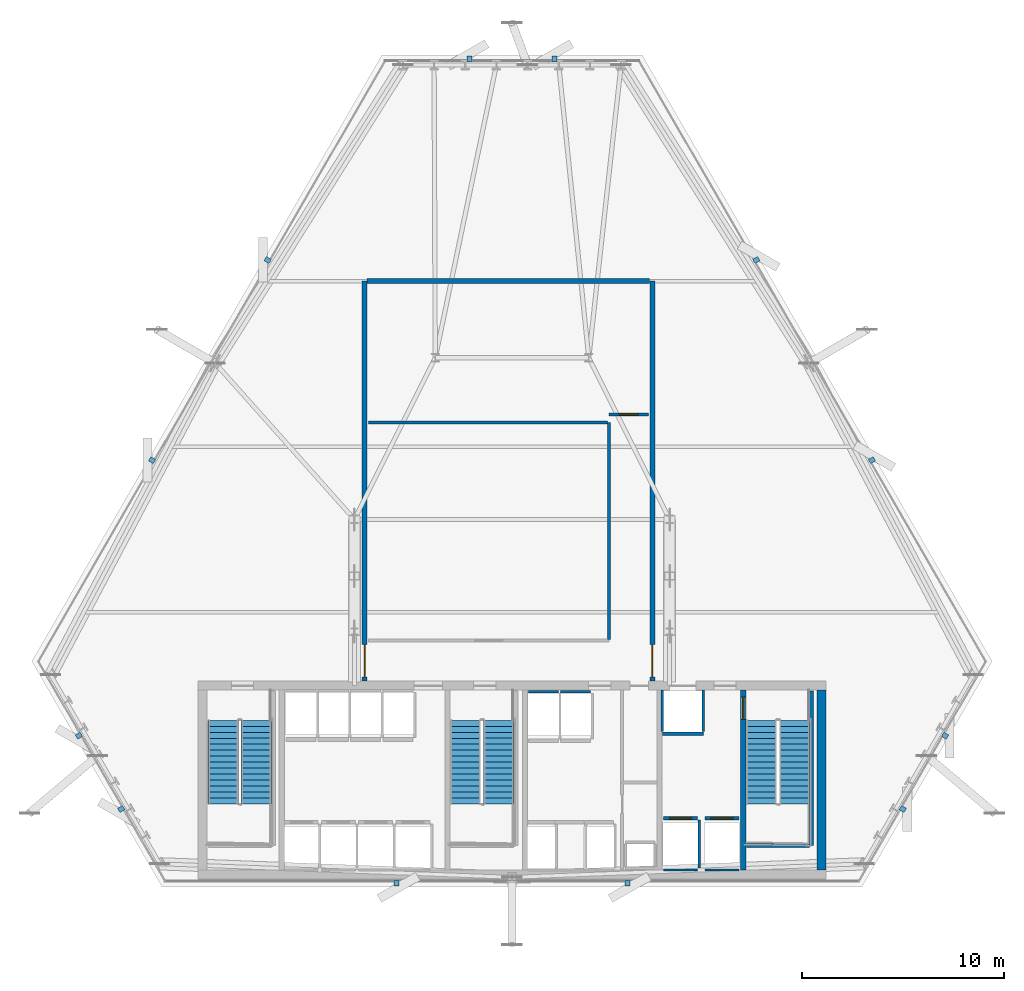
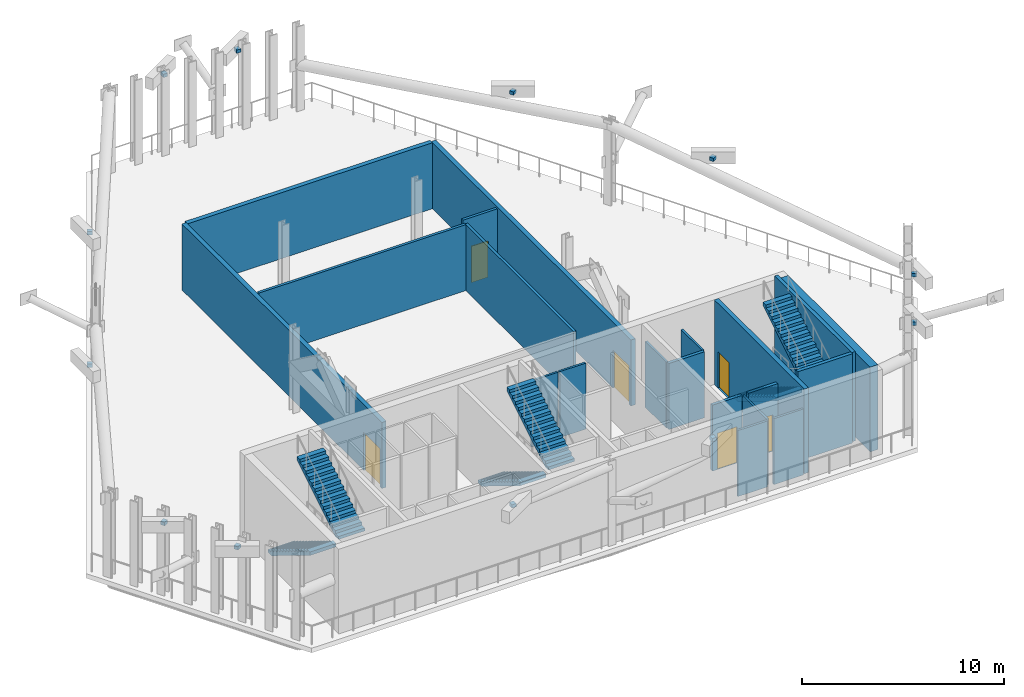
# One storey, part 5 of 11: 20 walls, 12 discrete accessories, 6 doors, 6 stair flights, 6 openings, 3 elements without a shape of their own.
"""IFC4 building model written with IfcOpenShell, lengths in metres."""

from ifc_helpers import new_model, si_unit, direction, frame, frame_2d, origin, origin_2d, place, context, subcontext, project, spatial, polyline, rectangle, outline, extrude, material, layer, layer_set, type_object, element, fill, aggregate, save


model = new_model("IFC4")

# Units and contexts
model_context = context("Model", 3, precision=1e-05, world=origin(), true_north=direction((0.0, 1.0)))
body_context = subcontext(model_context, "Body", "Model", "MODEL_VIEW")
ifc_project = project(units=[si_unit("LENGTHUNIT", "METRE"), si_unit("AREAUNIT", "SQUARE_METRE"), si_unit("VOLUMEUNIT", "CUBIC_METRE"), si_unit("PLANEANGLEUNIT", "RADIAN"), si_unit("MASSUNIT", "GRAM", prefix="KILO")], contexts=[model_context])

# Site, building, storey
site_placement = place(None, origin())
site = spatial("IfcSite", under=ifc_project, at=site_placement, CompositionType="ELEMENT")
building_placement = place(site_placement, origin())
building = spatial("IfcBuilding", under=site, at=building_placement, Name="Ndaravel Arena Tower", CompositionType="ELEMENT")
storey_placement = place(building_placement, frame((0.0, 0.0, 112.0)))
storey = spatial("IfcBuildingStorey", under=building, at=storey_placement, Name="L26", CompositionType="ELEMENT", Elevation=112.0)

# Wall
ifc_material_1 = material(Name="Gypsum", Category="gypsum")
ifc_layer_1 = layer(ifc_material_1, 0.14990234375)
ifc_layer_set_1 = layer_set([ifc_layer_1], Name="Gypsum")
wall_type_1 = type_object("IfcWallType", Name="WALL-COMP-150", PredefinedType="PARTITIONING", material=ifc_layer_set_1)
wall_1_placement = place(storey_placement, frame((46.800048828125, 17.264892578125, 0.0), z_axis=(0.0, 0.0, 1.0), x_axis=(0.0, 1.0, 0.0)))
element("IfcWall", 1, at=wall_1_placement, inside=storey, type_object=wall_type_1, Name="L26 Interior Partition 002", PredefinedType="PARTITIONING", context=body_context, shape_type="SweptSolid", body=[
    extrude(rectangle(XDim=10.735107421875, YDim=0.14990234375, at=frame_2d((5.36767578125, 0.0))), origin(), (0.0, 0.0, 1.0), 3.989990234375),
])

# Wall, opening, door
wall_2_placement = place(storey_placement, frame((46.800048828125, 28.39990234375, 0.0), z_axis=(0.0, 0.0, 1.0), x_axis=(1.0, 0.0, 0.0)))
wall_2 = element("IfcWall", 2, at=wall_2_placement, inside=storey, type_object=wall_type_1, Name="L26 Interior Partition 003", PredefinedType="PARTITIONING", context=body_context, shape_type="SweptSolid", body=[
    extrude(rectangle(XDim=1.949951171875, YDim=0.14990234375, at=frame_2d((0.97509765625, 0.0))), origin(), (0.0, 0.0, 1.0), 3.989990234375),
])
opening_1_placement = place(wall_2_placement, frame((0.5, 0.0, 0.0)))
opening_1 = element("IfcOpeningElement", 3, at=opening_1_placement, cuts=wall_2, Name="Opening FD-03", PredefinedType="OPENING", context=body_context, shape_type="SweptSolid", body=[
    extrude(rectangle(XDim=0.949951171875, YDim=2.199951171875, at=frame_2d((0.47509765625, 1.10009765625))), frame((0.0, 0.074951171875, 0.0), z_axis=(0.0, -1.0, 0.0), x_axis=(1.0, 0.0, 0.0)), (0.0, 0.0, 1.0), 0.14990234375),
])
ifc_material_2 = material(Name="Steel S355", Category="steel")
door_type_1 = type_object("IfcDoorType", Name="DT-11-CORE-950", OperationType="SINGLE_SWING_LEFT", PredefinedType="DOOR", material=ifc_material_2)
door_1_placement = place(opening_1_placement, origin())
door_1 = element("IfcDoor", 4, at=door_1_placement, inside=storey, type_object=door_type_1, Name="L26 L26 Heat Exchanger & BMS Room Door", OperationType="SINGLE_SWING_RIGHT", OverallHeight=2.199951171875, OverallWidth=0.949951171875, PredefinedType="DOOR", context=body_context, shape_type="SweptSolid", body=[
    extrude(rectangle(XDim=0.949951171875, YDim=2.199951171875, at=frame_2d((0.47509765625, 1.10009765625))), frame((0.0, 0.02490234375, 0.0), z_axis=(0.0, -1.0, 0.0), x_axis=(1.0, 0.0, 0.0)), (0.0, 0.0, 1.0), 0.050048828125),
])
fill(opening_1, door_1)

# Wall
wall_3_placement = place(storey_placement, frame((34.89990234375, 28.0, 0.0), z_axis=(0.0, 0.0, 1.0), x_axis=(1.0, 0.0, 0.0)))
element("IfcWall", 5, at=wall_3_placement, inside=storey, type_object=wall_type_1, Name="L26 Interior Partition 004", PredefinedType="PARTITIONING", context=body_context, shape_type="SweptSolid", body=[
    extrude(rectangle(XDim=11.835205078125, YDim=0.14990234375, at=frame_2d((5.91748046875, 0.0))), origin(), (0.0, 0.0, 1.0), 3.989990234375),
])

# Wall, opening, door
ifc_material_3 = material(Name="Concrete C60/75", Category="concrete")
ifc_layer_2 = layer(ifc_material_3, 0.25)
ifc_layer_set_2 = layer_set([ifc_layer_2], Name="Concrete C60/75")
wall_type_2 = type_object("IfcWallType", Name="WALL-CORE-250", PredefinedType="SOLIDWALL", material=ifc_layer_set_2)
wall_4_placement = place(storey_placement, frame((53.449951171875, 5.85009765625, 0.0), z_axis=(0.0, 0.0, 1.0), x_axis=(0.0, 1.0, 0.0)))
wall_4 = element("IfcWall", 6, at=wall_4_placement, inside=storey, type_object=wall_type_2, Name="L26 Core Web Shear Wall 5", PredefinedType="SOLIDWALL", context=body_context, shape_type="SweptSolid", body=[
    extrude(rectangle(XDim=8.89990234375, YDim=0.25, at=frame_2d((4.449951171875, 0.0))), origin(), (0.0, 0.0, 1.0), 5.1201171875),
])
opening_2_placement = place(wall_4_placement, frame((7.449951171875, 0.0, 0.0)))
opening_2 = element("IfcOpeningElement", 7, at=opening_2_placement, cuts=wall_4, Name="Opening FD-01", PredefinedType="OPENING", context=body_context, shape_type="SweptSolid", body=[
    extrude(rectangle(XDim=1.10009765625, YDim=2.199951171875, at=frame_2d((0.550048828125, 1.10009765625))), frame((0.0, 0.125, 0.0), z_axis=(0.0, -1.0, 0.0), x_axis=(1.0, 0.0, 0.0)), (0.0, 0.0, 1.0), 0.25),
])
ifc_material_4 = material(Name="Steel S355", Category="steel")
door_type_2 = type_object("IfcDoorType", Name="DT-01-STAIR-1100", OperationType="SINGLE_SWING_LEFT", PredefinedType="DOOR", material=ifc_material_4)
door_2_placement = place(opening_2_placement, origin())
door_2 = element("IfcDoor", 8, at=door_2_placement, inside=storey, type_object=door_type_2, Name="L26 Firefighting Lobby to ST-3 Door", OperationType="SINGLE_SWING_LEFT", OverallHeight=2.199951171875, OverallWidth=1.10009765625, PredefinedType="DOOR", context=body_context, shape_type="SweptSolid", body=[
    extrude(rectangle(XDim=1.10009765625, YDim=2.199951171875, at=frame_2d((0.550048828125, 1.10009765625))), frame((0.0, 0.02490234375, 0.0), z_axis=(0.0, -1.0, 0.0), x_axis=(1.0, 0.0, 0.0)), (0.0, 0.0, 1.0), 0.050048828125),
])
fill(opening_2, door_2)

# Wall
ifc_material_5 = material(Name="Concrete C60/75", Category="concrete")
ifc_layer_3 = layer(ifc_material_5, 0.449951171875)
ifc_layer_set_3 = layer_set([ifc_layer_3], Name="Concrete C60/75")
wall_type_3 = type_object("IfcWallType", Name="WALL-CORE-450", PredefinedType="SOLIDWALL", material=ifc_layer_set_3)
wall_5_placement = place(storey_placement, frame((57.324951171875, 5.85009765625, 0.0), z_axis=(0.0, 0.0, 1.0), x_axis=(0.0, 1.0, 0.0)))
element("IfcWall", 9, at=wall_5_placement, inside=storey, type_object=wall_type_3, Name="L26 Core East Shear Wall", PredefinedType="SOLIDWALL", context=body_context, shape_type="SweptSolid", body=[
    extrude(rectangle(XDim=8.89990234375, YDim=0.449951171875, at=frame_2d((4.449951171875, 0.0))), origin(), (0.0, 0.0, 1.0), 5.1201171875),
])

# Wall, opening, door
ifc_material_6 = material(Name="Masonry", Category="masonry")
ifc_layer_4 = layer(ifc_material_6, 0.300048828125)
ifc_layer_set_4 = layer_set([ifc_layer_4], Name="Masonry")
wall_type_4 = type_object("IfcWallType", Name="WALL-POD-MAZERAS-300", PredefinedType="SOLIDWALL", material=ifc_layer_set_4)
wall_6_placement = place(storey_placement, frame((34.699951171875, 15.199951171875, 0.0), z_axis=(0.0, 0.0, 1.0), x_axis=(0.0, 1.0, 0.0)))
wall_6 = element("IfcWall", 10, at=wall_6_placement, inside=storey, type_object=wall_type_4, Name="L26 Wind Floor West Refuge Enclosure", PredefinedType="SOLIDWALL", context=body_context, shape_type="SweptSolid", body=[
    extrude(rectangle(XDim=19.800048828125, YDim=0.25, at=frame_2d((9.89990234375, 0.0))), origin(), (0.0, 0.0, 1.0), 3.989990234375),
])
opening_3_placement = place(wall_6_placement, frame((0.199951171875, 0.0, 0.0)))
opening_3 = element("IfcOpeningElement", 11, at=opening_3_placement, cuts=wall_6, Name="Opening ED-05", PredefinedType="OPENING", context=body_context, shape_type="SweptSolid", body=[
    extrude(rectangle(XDim=1.60009765625, YDim=2.300048828125, at=frame_2d((0.800048828125, 1.14990234375))), frame((0.0, 0.125, 0.0), z_axis=(0.0, -1.0, 0.0), x_axis=(1.0, 0.0, 0.0)), (0.0, 0.0, 1.0), 0.25),
])
ifc_material_7 = material(Name="Aluminium", Category="aluminium")
door_type_3 = type_object("IfcDoorType", Name="ED-WDECK-1600", OperationType="DOUBLE_DOOR_SINGLE_SWING", PredefinedType="DOOR", material=ifc_material_7)
door_3_placement = place(opening_3_placement, origin())
door_3 = element("IfcDoor", 12, at=door_3_placement, inside=storey, type_object=door_type_3, Name="L26 West Open Wind Deck Access Door", OperationType="DOUBLE_DOOR_SINGLE_SWING", OverallHeight=2.300048828125, OverallWidth=1.60009765625, PredefinedType="DOOR", context=body_context, shape_type="SweptSolid", body=[
    extrude(rectangle(XDim=1.60009765625, YDim=2.300048828125, at=frame_2d((0.800048828125, 1.14990234375))), frame((0.0, 0.02490234375, 0.0), z_axis=(0.0, -1.0, 0.0), x_axis=(1.0, 0.0, 0.0)), (0.0, 0.0, 1.0), 0.050048828125),
])
fill(opening_3, door_3)

wall_7_placement = place(storey_placement, frame((48.949951171875, 15.199951171875, 0.0), z_axis=(0.0, 0.0, 1.0), x_axis=(0.0, 1.0, 0.0)))
wall_7 = element("IfcWall", 13, at=wall_7_placement, inside=storey, type_object=wall_type_4, Name="L26 Wind Floor East Refuge Enclosure", PredefinedType="SOLIDWALL", context=body_context, shape_type="SweptSolid", body=[
    extrude(rectangle(XDim=19.800048828125, YDim=0.25, at=frame_2d((9.89990234375, 0.0))), origin(), (0.0, 0.0, 1.0), 3.989990234375),
])
opening_4_placement = place(wall_7_placement, frame((0.199951171875, 0.0, 0.0)))
opening_4 = element("IfcOpeningElement", 14, at=opening_4_placement, cuts=wall_7, Name="Opening ED-05", PredefinedType="OPENING", context=body_context, shape_type="SweptSolid", body=[
    extrude(rectangle(XDim=1.60009765625, YDim=2.300048828125, at=frame_2d((0.800048828125, 1.14990234375))), frame((0.0, 0.125, 0.0), z_axis=(0.0, -1.0, 0.0), x_axis=(1.0, 0.0, 0.0)), (0.0, 0.0, 1.0), 0.25),
])
door_4_placement = place(opening_4_placement, origin())
door_4 = element("IfcDoor", 15, at=door_4_placement, inside=storey, type_object=door_type_3, Name="L26 East Open Wind Deck Access Door", OperationType="DOUBLE_DOOR_SINGLE_SWING", OverallHeight=2.300048828125, OverallWidth=1.60009765625, PredefinedType="DOOR", context=body_context, shape_type="SweptSolid", body=[
    extrude(rectangle(XDim=1.60009765625, YDim=2.300048828125, at=frame_2d((0.800048828125, 1.14990234375))), frame((0.0, 0.02490234375, 0.0), z_axis=(0.0, -1.0, 0.0), x_axis=(1.0, 0.0, 0.0)), (0.0, 0.0, 1.0), 0.050048828125),
])
fill(opening_4, door_4)

# Walls
wall_8_placement = place(storey_placement, frame((34.830078125, 35.0, 0.0), z_axis=(0.0, 0.0, 1.0), x_axis=(1.0, 0.0, 0.0)))
element("IfcWall", 16, at=wall_8_placement, inside=storey, type_object=wall_type_4, Name="L26 Wind Floor North BMS Enclosure", PredefinedType="SOLIDWALL", context=body_context, shape_type="SweptSolid", body=[
    extrude(rectangle(XDim=13.989990234375, YDim=0.25, at=frame_2d((6.9951171875, 0.0))), origin(), (0.0, 0.0, 1.0), 3.989990234375),
])
ifc_material_8 = material(Name="Concrete C40/50", Category="concrete")
ifc_layer_5 = layer(ifc_material_8, 0.1201171875)
ifc_layer_set_5 = layer_set([ifc_layer_5], Name="Concrete C40/50")
wall_type_5 = type_object("IfcWallType", Name="WALL-SHAFT-120", PredefinedType="SOLIDWALL", material=ifc_layer_set_5)
for number, where, z_axis, x_axis, name in (
    (17, (42.804931640625, 14.659912109375, 0.0), (0.0, 0.0, 1.0), (1.0, 0.0, 0.0), "L26 PL-OBS1 Shaft Rear Wall"),
    (18, (44.405029296875, 14.659912109375, 0.0), (0.0, 0.0, 1.0), (1.0, 0.0, 0.0), "L26 PL-OBS2 Shaft Rear Wall"),
):
    element("IfcWall", number, at=place(storey_placement, frame(where, z_axis=z_axis, x_axis=x_axis)), inside=storey, type_object=wall_type_5, Name=name, PredefinedType="SOLIDWALL", context=body_context, shape_type="SweptSolid", body=[
        extrude(rectangle(XDim=1.489990234375, YDim=0.1201171875, at=frame_2d((0.7451171875, 0.0))), origin(), (0.0, 0.0, 1.0), 3.989990234375),
    ])
wall_9_placement = place(storey_placement, frame((49.5048828125, 5.840087890625, 0.0), z_axis=(0.0, 0.0, 1.0), x_axis=(1.0, 0.0, 0.0)))
element("IfcWall", 19, at=wall_9_placement, inside=storey, type_object=wall_type_5, Name="L26 FFL-1 Shaft Rear Wall", PredefinedType="SOLIDWALL", context=body_context, shape_type="SweptSolid", body=[
    extrude(rectangle(XDim=1.690185546875, YDim=0.1201171875, at=frame_2d((0.84521484375, 0.0))), origin(), (0.0, 0.0, 1.0), 3.989990234375),
])
wall_10_placement = place(storey_placement, frame((51.27490234375, 5.929931640625, 0.0), z_axis=(0.0, 0.0, 1.0), x_axis=(0.0, 1.0, 0.0)))
element("IfcWall", 20, at=wall_10_placement, inside=storey, type_object=wall_type_5, Name="L26 FFL-1 Shaft Side R Wall", PredefinedType="SOLIDWALL", context=body_context, shape_type="SweptSolid", body=[
    extrude(rectangle(XDim=2.380126953125, YDim=0.1201171875, at=frame_2d((1.18994140625, 0.0))), origin(), (0.0, 0.0, 1.0), 3.989990234375),
])
wall_11_placement = place(storey_placement, frame((51.554931640625, 5.840087890625, 0.0), z_axis=(0.0, 0.0, 1.0), x_axis=(1.0, 0.0, 0.0)))
element("IfcWall", 21, at=wall_11_placement, inside=storey, type_object=wall_type_5, Name="L26 FFL-2 Shaft Rear Wall", PredefinedType="SOLIDWALL", context=body_context, shape_type="SweptSolid", body=[
    extrude(rectangle(XDim=1.690185546875, YDim=0.1201171875, at=frame_2d((0.84521484375, 0.0))), origin(), (0.0, 0.0, 1.0), 3.989990234375),
])
for number, where, z_axis, x_axis, name in (
    (22, (49.43994140625, 12.68994140625, 0.0), (0.0, 0.0, 1.0), (0.0, 1.0, 0.0), "L26 SVL-1 Shaft W Wall"),
    (23, (51.47998046875, 12.68994140625, 0.0), (0.0, 0.0, 1.0), (0.0, 1.0, 0.0), "L26 SVL-1 Shaft E Wall"),
):
    element("IfcWall", number, at=place(storey_placement, frame(where, z_axis=z_axis, x_axis=x_axis)), inside=storey, type_object=wall_type_5, Name=name, PredefinedType="SOLIDWALL", context=body_context, shape_type="SweptSolid", body=[
        extrude(rectangle(XDim=2.070068359375, YDim=0.1201171875, at=frame_2d((1.03515625, 0.0))), origin(), (0.0, 0.0, 1.0), 3.989990234375),
    ])
ifc_material_9 = material(Name="Concrete C40/50", Category="concrete")
ifc_layer_6 = layer(ifc_material_9, 0.199951171875)
ifc_layer_set_6 = layer_set([ifc_layer_6], Name="Concrete C40/50")
wall_type_6 = type_object("IfcWallType", Name="WALL-SHAFT-200", PredefinedType="SOLIDWALL", material=ifc_layer_set_6)
wall_12_placement = place(storey_placement, frame((56.840087890625, 14.699951171875, 0.0), z_axis=(0.0, 0.0, 1.0), x_axis=(0.0, -1.0, 0.0)))
element("IfcWall", 24, at=wall_12_placement, inside=storey, type_object=wall_type_6, Name="L26 ST-3 Structural Shaft Wall Right", PredefinedType="SOLIDWALL", context=body_context, shape_type="SweptSolid", body=[
    extrude(rectangle(XDim=7.64990234375, YDim=0.199951171875, at=frame_2d((3.824951171875, 0.0))), origin(), (0.0, 0.0, 1.0), 5.39990234375),
])
wall_13_placement = place(storey_placement, frame((53.6201171875, 7.050048828125, 0.0), z_axis=(0.0, 0.0, 1.0), x_axis=(1.0, 0.0, 0.0)))
element("IfcWall", 25, at=wall_13_placement, inside=storey, type_object=wall_type_6, Name="L26 ST-3 Structural Shaft Wall Far", PredefinedType="SOLIDWALL", context=body_context, shape_type="SweptSolid", body=[
    extrude(rectangle(XDim=3.114990234375, YDim=0.199951171875, at=frame_2d((1.5576171875, 0.0))), origin(), (0.0, 0.0, 1.0), 5.39990234375),
])

# Wall, opening, door
wall_14_placement = place(storey_placement, frame((49.5048828125, 8.39990234375, 0.0), z_axis=(0.0, 0.0, 1.0), x_axis=(1.0, 0.0, 0.0)))
wall_14 = element("IfcWall", 26, at=wall_14_placement, inside=storey, type_object=wall_type_6, Name="L26 FFL-1 Shaft Landing Wall", PredefinedType="SOLIDWALL", context=body_context, shape_type="SweptSolid", body=[
    extrude(rectangle(XDim=1.690185546875, YDim=0.179931640625, at=frame_2d((0.84521484375, 0.0))), origin(), (0.0, 0.0, 1.0), 3.989990234375),
])
opening_5_placement = place(wall_14_placement, frame((0.294921875, 0.0, 0.0)))
opening_5 = element("IfcOpeningElement", 27, at=opening_5_placement, cuts=wall_14, Name="Opening LD-01", PredefinedType="OPENING", context=body_context, shape_type="SweptSolid", body=[
    extrude(rectangle(XDim=1.10009765625, YDim=2.199951171875, at=frame_2d((0.550048828125, 1.10009765625))), frame((0.0, 0.08984375, 0.0), z_axis=(0.0, -1.0, 0.0), x_axis=(1.0, 0.0, 0.0)), (0.0, 0.0, 1.0), 0.179931640625),
])
ifc_material_10 = material(Name="Steel S355", Category="steel")
door_type_4 = type_object("IfcDoorType", Name="DT-06-LIFT-1100", OperationType="SLIDING_TO_LEFT", PredefinedType="DOOR", material=ifc_material_10)
door_5_placement = place(opening_5_placement, origin())
door_5 = element("IfcDoor", 28, at=door_5_placement, inside=storey, type_object=door_type_4, Name="L26 Lift FFL-1 Sliding Landing Door", OperationType="SLIDING_TO_LEFT", OverallHeight=2.199951171875, OverallWidth=1.10009765625, PredefinedType="DOOR", context=body_context, shape_type="SweptSolid", body=[
    extrude(rectangle(XDim=1.10009765625, YDim=2.199951171875, at=frame_2d((0.550048828125, 1.10009765625))), frame((0.0, 0.02490234375, 0.0), z_axis=(0.0, -1.0, 0.0), x_axis=(1.0, 0.0, 0.0)), (0.0, 0.0, 1.0), 0.050048828125),
])
fill(opening_5, door_5)

wall_15_placement = place(storey_placement, frame((51.554931640625, 8.39990234375, 0.0), z_axis=(0.0, 0.0, 1.0), x_axis=(1.0, 0.0, 0.0)))
wall_15 = element("IfcWall", 29, at=wall_15_placement, inside=storey, type_object=wall_type_6, Name="L26 FFL-2 Shaft Landing Wall", PredefinedType="SOLIDWALL", context=body_context, shape_type="SweptSolid", body=[
    extrude(rectangle(XDim=1.690185546875, YDim=0.179931640625, at=frame_2d((0.84521484375, 0.0))), origin(), (0.0, 0.0, 1.0), 3.989990234375),
])
opening_6_placement = place(wall_15_placement, frame((0.294921875, 0.0, 0.0)))
opening_6 = element("IfcOpeningElement", 30, at=opening_6_placement, cuts=wall_15, Name="Opening LD-01", PredefinedType="OPENING", context=body_context, shape_type="SweptSolid", body=[
    extrude(rectangle(XDim=1.10009765625, YDim=2.199951171875, at=frame_2d((0.550048828125, 1.10009765625))), frame((0.0, 0.08984375, 0.0), z_axis=(0.0, -1.0, 0.0), x_axis=(1.0, 0.0, 0.0)), (0.0, 0.0, 1.0), 0.179931640625),
])
door_6_placement = place(opening_6_placement, origin())
door_6 = element("IfcDoor", 31, at=door_6_placement, inside=storey, type_object=door_type_4, Name="L26 Lift FFL-2 Sliding Landing Door", OperationType="SLIDING_TO_LEFT", OverallHeight=2.199951171875, OverallWidth=1.10009765625, PredefinedType="DOOR", context=body_context, shape_type="SweptSolid", body=[
    extrude(rectangle(XDim=1.10009765625, YDim=2.199951171875, at=frame_2d((0.550048828125, 1.10009765625))), frame((0.0, 0.02490234375, 0.0), z_axis=(0.0, -1.0, 0.0), x_axis=(1.0, 0.0, 0.0)), (0.0, 0.0, 1.0), 0.050048828125),
])
fill(opening_6, door_6)

# Wall
wall_16_placement = place(storey_placement, frame((49.43994140625, 12.594970703125, 0.0), z_axis=(0.0, 0.0, 1.0), x_axis=(1.0, 0.0, 0.0)))
element("IfcWall", 32, at=wall_16_placement, inside=storey, type_object=wall_type_6, Name="L26 SVL-1 Shaft South Wall", PredefinedType="SOLIDWALL", context=body_context, shape_type="SweptSolid", body=[
    extrude(rectangle(XDim=2.0400390625, YDim=0.179931640625, at=frame_2d((1.02001953125, 0.0))), origin(), (0.0, 0.0, 1.0), 3.989990234375),
])

# Stair, stair flights
ifc_material_11 = material(Name="Concrete C40/50", Category="concrete")
stair_type = type_object("IfcStairType", Name="STAIR-CORE-HT", PredefinedType="HALF_TURN_STAIR", material=ifc_material_11)
stair_1_placement = place(storey_placement, origin())
stair_1 = element("IfcStair", 33, at=stair_1_placement, inside=storey, type_object=stair_type, Name="L26 ST-1", PredefinedType="HALF_TURN_STAIR")
ifc_material_12 = material(Name="Concrete C40/50", Category="concrete")
stair_flight_type = type_object("IfcStairFlightType", Name="SFLIGHT-CORE-1680", PredefinedType="STRAIGHT", material=ifc_material_12)
stair_flight_1_placement = place(storey_placement, frame((27.699951171875, 13.25, 0.0), z_axis=(0.0, 0.0, 1.0), x_axis=(0.0, -1.0, 0.0)))
stair_flight_1 = element("IfcStairFlight", 34, at=stair_flight_1_placement, type_object=stair_flight_type, Name="ST-1 flight 1", NumberOfRisers=15, NumberOfTreads=14, PredefinedType="STRAIGHT", RiserHeight=0.18, TreadLength=0.295, context=body_context, shape_type="SweptSolid", body=[
    extrude(outline(polyline([(0.0, 0.0), (0.0, 0.179931640625), (0.294921875, 0.179931640625), (0.294921875, 0.360107421875), (0.590087890625, 0.360107421875), (0.590087890625, 0.5400390625), (0.885009765625, 0.5400390625), (0.885009765625, 0.719970703125), (1.179931640625, 0.719970703125), (1.179931640625, 0.89990234375), (1.47509765625, 0.89990234375), (1.47509765625, 1.080078125), (1.77001953125, 1.080078125), (1.77001953125, 1.260009765625), (2.06494140625, 1.260009765625), (2.06494140625, 1.43994140625), (2.360107421875, 1.43994140625), (2.360107421875, 1.6201171875), (2.655029296875, 1.6201171875), (2.655029296875, 1.800048828125), (2.949951171875, 1.800048828125), (2.949951171875, 1.97998046875), (3.2451171875, 1.97998046875), (3.2451171875, 2.159912109375), (3.5400390625, 2.159912109375), (3.5400390625, 2.340087890625), (3.8349609375, 2.340087890625), (3.8349609375, 2.52001953125), (4.1298828125, 2.52001953125), (4.1298828125, 2.699951171875), (4.1298828125, 2.309326171875), (0.345458984375, 0.0), (0.0, 0.0)])), frame((0.0, 0.75, 0.0), z_axis=(0.0, -1.0, 0.0), x_axis=(1.0, 0.0, 0.0)), (0.0, 0.0, 1.0), 1.5),
])
stair_flight_2_placement = place(storey_placement, frame((29.340087890625, 9.1201171875, 2.699951171875), z_axis=(0.0, 0.0, 1.0), x_axis=(0.0, 1.0, 0.0)))
stair_flight_2 = element("IfcStairFlight", 35, at=stair_flight_2_placement, type_object=stair_flight_type, Name="ST-1 flight 2", NumberOfRisers=15, NumberOfTreads=14, PredefinedType="STRAIGHT", RiserHeight=0.18, TreadLength=0.295, context=body_context, shape_type="SweptSolid", body=[
    extrude(outline(polyline([(0.0, 0.0), (0.0, 0.179931640625), (0.294921875, 0.179931640625), (0.294921875, 0.360107421875), (0.590087890625, 0.360107421875), (0.590087890625, 0.5400390625), (0.885009765625, 0.5400390625), (0.885009765625, 0.719970703125), (1.179931640625, 0.719970703125), (1.179931640625, 0.89990234375), (1.47509765625, 0.89990234375), (1.47509765625, 1.080078125), (1.77001953125, 1.080078125), (1.77001953125, 1.260009765625), (2.06494140625, 1.260009765625), (2.06494140625, 1.43994140625), (2.360107421875, 1.43994140625), (2.360107421875, 1.6201171875), (2.655029296875, 1.6201171875), (2.655029296875, 1.800048828125), (2.949951171875, 1.800048828125), (2.949951171875, 1.97998046875), (3.2451171875, 1.97998046875), (3.2451171875, 2.159912109375), (3.5400390625, 2.159912109375), (3.5400390625, 2.340087890625), (3.8349609375, 2.340087890625), (3.8349609375, 2.52001953125), (4.1298828125, 2.52001953125), (4.1298828125, 2.699951171875), (4.1298828125, 2.309326171875), (0.345458984375, 0.0), (0.0, 0.0)])), frame((0.0, 0.75, 0.0), z_axis=(0.0, -1.0, 0.0), x_axis=(1.0, 0.0, 0.0)), (0.0, 0.0, 1.0), 1.5),
])
aggregate(stair_1, [stair_flight_1, stair_flight_2])

stair_2_placement = place(storey_placement, origin())
stair_2 = element("IfcStair", 36, at=stair_2_placement, inside=storey, type_object=stair_type, Name="L26 ST-2", PredefinedType="HALF_TURN_STAIR")
stair_flight_3_placement = place(storey_placement, frame((39.699951171875, 13.25, 0.0), z_axis=(0.0, 0.0, 1.0), x_axis=(0.0, -1.0, 0.0)))
stair_flight_3 = element("IfcStairFlight", 37, at=stair_flight_3_placement, type_object=stair_flight_type, Name="ST-2 flight 1", NumberOfRisers=15, NumberOfTreads=14, PredefinedType="STRAIGHT", RiserHeight=0.18, TreadLength=0.295, context=body_context, shape_type="SweptSolid", body=[
    extrude(outline(polyline([(0.0, 0.0), (0.0, 0.179931640625), (0.294921875, 0.179931640625), (0.294921875, 0.360107421875), (0.590087890625, 0.360107421875), (0.590087890625, 0.5400390625), (0.885009765625, 0.5400390625), (0.885009765625, 0.719970703125), (1.179931640625, 0.719970703125), (1.179931640625, 0.89990234375), (1.47509765625, 0.89990234375), (1.47509765625, 1.080078125), (1.77001953125, 1.080078125), (1.77001953125, 1.260009765625), (2.06494140625, 1.260009765625), (2.06494140625, 1.43994140625), (2.360107421875, 1.43994140625), (2.360107421875, 1.6201171875), (2.655029296875, 1.6201171875), (2.655029296875, 1.800048828125), (2.949951171875, 1.800048828125), (2.949951171875, 1.97998046875), (3.2451171875, 1.97998046875), (3.2451171875, 2.159912109375), (3.5400390625, 2.159912109375), (3.5400390625, 2.340087890625), (3.8349609375, 2.340087890625), (3.8349609375, 2.52001953125), (4.1298828125, 2.52001953125), (4.1298828125, 2.699951171875), (4.1298828125, 2.309326171875), (0.345458984375, 0.0), (0.0, 0.0)])), frame((0.0, 0.75, 0.0), z_axis=(0.0, -1.0, 0.0), x_axis=(1.0, 0.0, 0.0)), (0.0, 0.0, 1.0), 1.5),
])
stair_flight_4_placement = place(storey_placement, frame((41.340087890625, 9.1201171875, 2.699951171875), z_axis=(0.0, 0.0, 1.0), x_axis=(0.0, 1.0, 0.0)))
stair_flight_4 = element("IfcStairFlight", 38, at=stair_flight_4_placement, type_object=stair_flight_type, Name="ST-2 flight 2", NumberOfRisers=15, NumberOfTreads=14, PredefinedType="STRAIGHT", RiserHeight=0.18, TreadLength=0.295, context=body_context, shape_type="SweptSolid", body=[
    extrude(outline(polyline([(0.0, 0.0), (0.0, 0.179931640625), (0.294921875, 0.179931640625), (0.294921875, 0.360107421875), (0.590087890625, 0.360107421875), (0.590087890625, 0.5400390625), (0.885009765625, 0.5400390625), (0.885009765625, 0.719970703125), (1.179931640625, 0.719970703125), (1.179931640625, 0.89990234375), (1.47509765625, 0.89990234375), (1.47509765625, 1.080078125), (1.77001953125, 1.080078125), (1.77001953125, 1.260009765625), (2.06494140625, 1.260009765625), (2.06494140625, 1.43994140625), (2.360107421875, 1.43994140625), (2.360107421875, 1.6201171875), (2.655029296875, 1.6201171875), (2.655029296875, 1.800048828125), (2.949951171875, 1.800048828125), (2.949951171875, 1.97998046875), (3.2451171875, 1.97998046875), (3.2451171875, 2.159912109375), (3.5400390625, 2.159912109375), (3.5400390625, 2.340087890625), (3.8349609375, 2.340087890625), (3.8349609375, 2.52001953125), (4.1298828125, 2.52001953125), (4.1298828125, 2.699951171875), (4.1298828125, 2.309326171875), (0.345458984375, 0.0), (0.0, 0.0)])), frame((0.0, 0.75, 0.0), z_axis=(0.0, -1.0, 0.0), x_axis=(1.0, 0.0, 0.0)), (0.0, 0.0, 1.0), 1.5),
])
aggregate(stair_2, [stair_flight_3, stair_flight_4])

stair_3_placement = place(storey_placement, origin())
stair_3 = element("IfcStair", 39, at=stair_3_placement, inside=storey, type_object=stair_type, Name="L26 ST-3", PredefinedType="HALF_TURN_STAIR")
stair_flight_5_placement = place(storey_placement, frame((54.35009765625, 13.25, 0.0), z_axis=(0.0, 0.0, 1.0), x_axis=(0.0, -1.0, 0.0)))
stair_flight_5 = element("IfcStairFlight", 40, at=stair_flight_5_placement, type_object=stair_flight_type, Name="ST-3 flight 1", NumberOfRisers=15, NumberOfTreads=14, PredefinedType="STRAIGHT", RiserHeight=0.18, TreadLength=0.295, context=body_context, shape_type="SweptSolid", body=[
    extrude(outline(polyline([(0.0, 0.0), (0.0, 0.179931640625), (0.294921875, 0.179931640625), (0.294921875, 0.360107421875), (0.590087890625, 0.360107421875), (0.590087890625, 0.5400390625), (0.885009765625, 0.5400390625), (0.885009765625, 0.719970703125), (1.179931640625, 0.719970703125), (1.179931640625, 0.89990234375), (1.47509765625, 0.89990234375), (1.47509765625, 1.080078125), (1.77001953125, 1.080078125), (1.77001953125, 1.260009765625), (2.06494140625, 1.260009765625), (2.06494140625, 1.43994140625), (2.360107421875, 1.43994140625), (2.360107421875, 1.6201171875), (2.655029296875, 1.6201171875), (2.655029296875, 1.800048828125), (2.949951171875, 1.800048828125), (2.949951171875, 1.97998046875), (3.2451171875, 1.97998046875), (3.2451171875, 2.159912109375), (3.5400390625, 2.159912109375), (3.5400390625, 2.340087890625), (3.8349609375, 2.340087890625), (3.8349609375, 2.52001953125), (4.1298828125, 2.52001953125), (4.1298828125, 2.699951171875), (4.1298828125, 2.309326171875), (0.345458984375, 0.0), (0.0, 0.0)])), frame((0.0, 0.75, 0.0), z_axis=(0.0, -1.0, 0.0), x_axis=(1.0, 0.0, 0.0)), (0.0, 0.0, 1.0), 1.5),
])
stair_flight_6_placement = place(storey_placement, frame((55.989990234375, 9.1201171875, 2.699951171875), z_axis=(0.0, 0.0, 1.0), x_axis=(0.0, 1.0, 0.0)))
stair_flight_6 = element("IfcStairFlight", 41, at=stair_flight_6_placement, type_object=stair_flight_type, Name="ST-3 flight 2", NumberOfRisers=15, NumberOfTreads=14, PredefinedType="STRAIGHT", RiserHeight=0.18, TreadLength=0.295, context=body_context, shape_type="SweptSolid", body=[
    extrude(outline(polyline([(0.0, 0.0), (0.0, 0.179931640625), (0.294921875, 0.179931640625), (0.294921875, 0.360107421875), (0.590087890625, 0.360107421875), (0.590087890625, 0.5400390625), (0.885009765625, 0.5400390625), (0.885009765625, 0.719970703125), (1.179931640625, 0.719970703125), (1.179931640625, 0.89990234375), (1.47509765625, 0.89990234375), (1.47509765625, 1.080078125), (1.77001953125, 1.080078125), (1.77001953125, 1.260009765625), (2.06494140625, 1.260009765625), (2.06494140625, 1.43994140625), (2.360107421875, 1.43994140625), (2.360107421875, 1.6201171875), (2.655029296875, 1.6201171875), (2.655029296875, 1.800048828125), (2.949951171875, 1.800048828125), (2.949951171875, 1.97998046875), (3.2451171875, 1.97998046875), (3.2451171875, 2.159912109375), (3.5400390625, 2.159912109375), (3.5400390625, 2.340087890625), (3.8349609375, 2.340087890625), (3.8349609375, 2.52001953125), (4.1298828125, 2.52001953125), (4.1298828125, 2.699951171875), (4.1298828125, 2.309326171875), (0.345458984375, 0.0), (0.0, 0.0)])), frame((0.0, 0.75, 0.0), z_axis=(0.0, -1.0, 0.0), x_axis=(1.0, 0.0, 0.0)), (0.0, 0.0, 1.0), 1.5),
])
aggregate(stair_3, [stair_flight_5, stair_flight_6])

# Discrete accessories
ifc_material_13 = material(Name="Steel S355", Category="steel")
discrete_accessory_type = type_object("IfcDiscreteAccessoryType", Name="ACC-BRACKET-FIN", PredefinedType="BRACKET", material=ifc_material_13)
for number, where, z_axis, x_axis, name in (
    (42, (36.2783203125, 5.179931640625, 4.419921875), (0.0, 0.0, 1.0), (0.0, -1.0, 0.0), "L26 Wind-Floor Acoustic Louvre 1.1 Bracket"),
    (43, (47.7216796875, 5.179931640625, 4.419921875), (0.0, 0.0, 1.0), (0.0, -1.0, 0.0), "L26 Wind-Floor Acoustic Louvre 1.2 Bracket"),
    (44, (61.348388671875, 8.86083984375, 4.419921875), (0.0, 0.0, 1.0), (0.866025403784, -0.5, 0.0), "L26 Wind-Floor Acoustic Louvre 2.1 Bracket"),
    (45, (63.444580078125, 12.49169921875, 4.419921875), (0.0, 0.0, 1.0), (0.866025403784, -0.5, 0.0), "L26 Wind-Floor Acoustic Louvre 2.2 Bracket"),
    (46, (59.819091796875, 26.133056640625, 4.419921875), (0.0, 0.0, 1.0), (0.866025403784, 0.5, 0.0), "L26 Wind-Floor Acoustic Louvre 3.1 Bracket"),
    (47, (54.09716796875, 36.04345703125, 4.419921875), (0.0, 0.0, 1.0), (0.866025403784, 0.5, 0.0), "L26 Wind-Floor Acoustic Louvre 3.2 Bracket"),
    (48, (44.09619140625, 46.00390625, 4.419921875), (0.0, 0.0, 1.0), (0.0, 1.0, 0.0), "L26 Wind-Floor Acoustic Louvre 4.1 Bracket"),
    (49, (39.90380859375, 46.00390625, 4.419921875), (0.0, 0.0, 1.0), (0.0, 1.0, 0.0), "L26 Wind-Floor Acoustic Louvre 4.2 Bracket"),
    (50, (29.90283203125, 36.04345703125, 4.419921875), (0.0, 0.0, 1.0), (-0.866025403784, 0.5, 0.0), "L26 Wind-Floor Acoustic Louvre 5.1 Bracket"),
    (51, (24.180908203125, 26.133056640625, 4.419921875), (0.0, 0.0, 1.0), (-0.866025403784, 0.5, 0.0), "L26 Wind-Floor Acoustic Louvre 5.2 Bracket"),
    (52, (20.555419921875, 12.49169921875, 4.419921875), (0.0, 0.0, 1.0), (-0.866025403784, -0.5, 0.0), "L26 Wind-Floor Acoustic Louvre 6.1 Bracket"),
    (53, (22.651611328125, 8.86083984375, 4.419921875), (0.0, 0.0, 1.0), (-0.866025403784, -0.5, 0.0), "L26 Wind-Floor Acoustic Louvre 6.2 Bracket"),
):
    element("IfcDiscreteAccessory", number, at=place(storey_placement, frame(where, z_axis=z_axis, x_axis=x_axis)), inside=storey, type_object=discrete_accessory_type, Name=name, PredefinedType="BRACKET", context=body_context, shape_type="SweptSolid", body=[
        extrude(rectangle(XDim=0.280029296875, YDim=0.239990234375, at=origin_2d()), origin(), (0.0, 0.0, 1.0), 0.199951171875),
    ])

save(model, "model.ifc")
